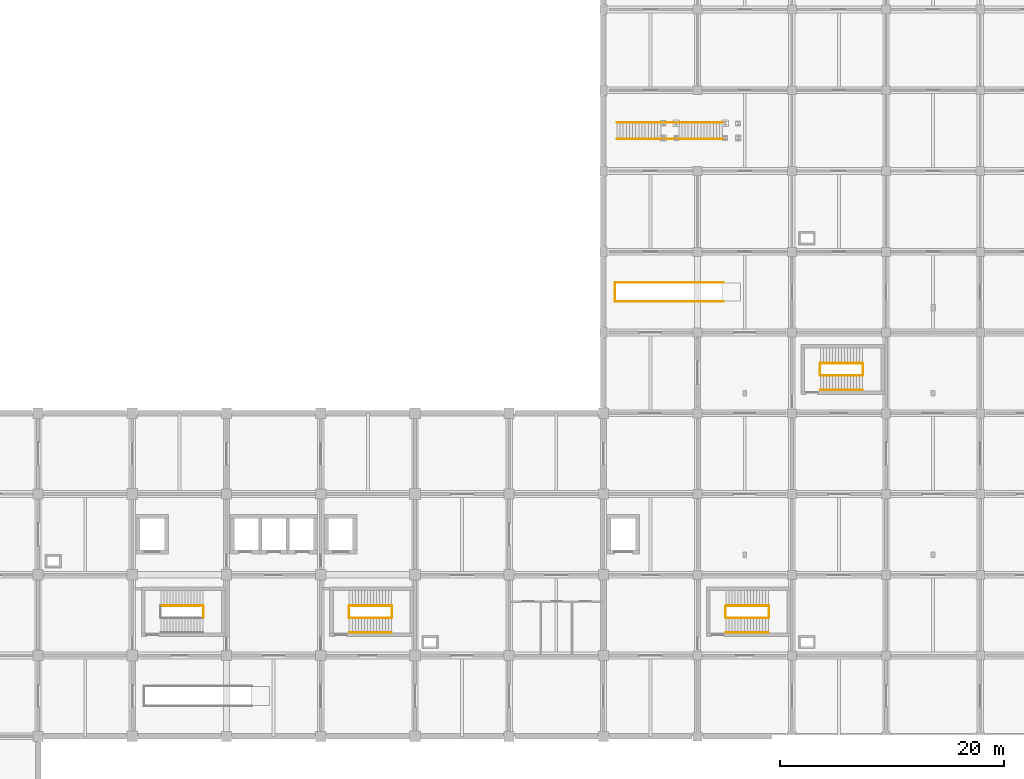
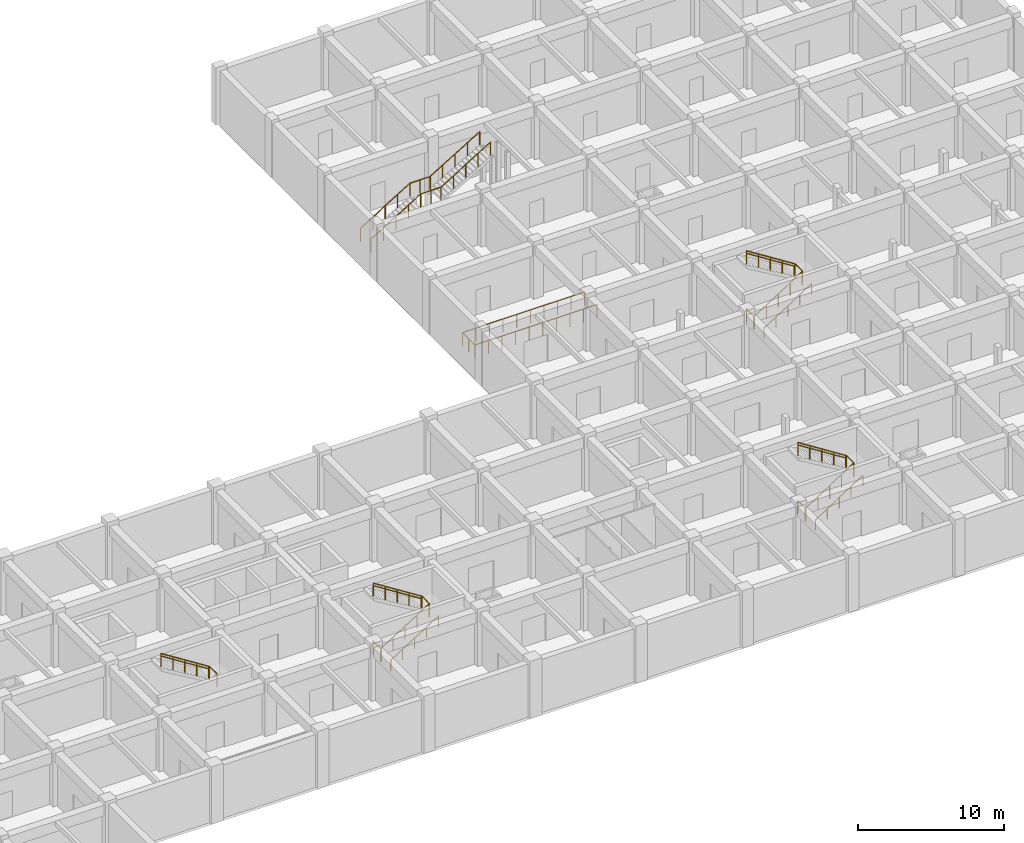
# One storey, part 32 of 32: 30 railings.
"""IFC4 building model written with IfcOpenShell, lengths in metres."""

from ifc_helpers import new_model, si_unit, derived_unit, direction, frame, origin, origin_2d, place, context, subcontext, project, spatial, circle, extrude, material, layer, layer_set, type_object, element, save


model = new_model("IFC4")

# Units and contexts
model_context = context("Model", 3, precision=1e-05, world=origin(), true_north=direction((0.0, 1.0)))
body_context = subcontext(model_context, "Body", "Model", "MODEL_VIEW")
ifc_project = project(units=[si_unit("LENGTHUNIT", "METRE"), si_unit("AREAUNIT", "SQUARE_METRE"), si_unit("VOLUMEUNIT", "CUBIC_METRE"), si_unit("PLANEANGLEUNIT", "RADIAN"), si_unit("MASSUNIT", "GRAM", prefix="KILO"), derived_unit("THERMALTRANSMITTANCEUNIT", [(si_unit("MASSUNIT", "GRAM", prefix="KILO"), 1), (si_unit("TIMEUNIT", "SECOND"), -3), (si_unit("THERMODYNAMICTEMPERATUREUNIT", "KELVIN"), -1)])], contexts=[model_context])

# Site, building, storey
site_placement = place(None, origin())
site = spatial("IfcSite", under=ifc_project, at=site_placement, CompositionType="ELEMENT")
building_placement = place(site_placement, origin())
building = spatial("IfcBuilding", under=site, at=building_placement, Name="Veldstrom Oceanarium and Marine Research Institute", CompositionType="ELEMENT")
storey_placement = place(building_placement, frame((0.0, 0.0, -4.800048828125)))
storey = spatial("IfcBuildingStorey", under=building, at=storey_placement, Name="B01", CompositionType="ELEMENT", Elevation=-4.800048828125)

# Railings
ifc_material_1 = material(Name="Duplex Stainless Steel Balustrade", Category="steel")
ifc_layer_1 = layer(ifc_material_1, 0.06005859375)
ifc_layer_set_1 = layer_set([ifc_layer_1], Name="ARC-RLG-GR1")
railing_type_1 = type_object("IfcRailingType", Name="ARC-RLG-GR1", PredefinedType="GUARDRAIL", material=ifc_layer_set_1)
railing_1_placement = place(storey_placement, frame((81.9599609375, 53.800048828125, 2.400146484375)))
element("IfcRailing", 1, at=railing_1_placement, inside=storey, type_object=railing_type_1, Name="Stair Half-Landing Guardrail ST1-B01", PredefinedType="GUARDRAIL", context=body_context, shape_type="SweptSolid", body=[
    extrude(circle(Radius=0.02392578125, at=origin_2d()), frame((0.0, 0.0, 1.09619140625), z_axis=(0.0, 1.0, 0.0), x_axis=(-1.0, 0.0, 0.0)), (0.0, 0.0, 1.0), 1.0),
    extrude(circle(Radius=0.02099609375, at=origin_2d()), origin(), (0.0, 0.0, 1.0), 1.072021484375),
    extrude(circle(Radius=0.02099609375, at=origin_2d()), frame((0.0, 1.0, 0.0)), (0.0, 0.0, 1.0), 1.072021484375),
])
railing_2_placement = place(storey_placement, frame((81.919921875, 54.840087890625, 2.400146484375)))
element("IfcRailing", 2, at=railing_2_placement, inside=storey, type_object=railing_type_1, Name="Stair Flight Guardrail ST1-B01-2", PredefinedType="GUARDRAIL", context=body_context, shape_type="SweptSolid", body=[
    extrude(circle(Radius=0.02392578125, at=origin_2d()), frame((0.0, 0.0, 1.09619140625), z_axis=(-0.844224564207, 0.0, 0.535989631606), x_axis=(0.0, -1.0, 0.0)), (0.0, 0.0, 1.0), 4.4775390625),
    extrude(circle(Radius=0.02099609375, at=origin_2d()), origin(), (0.0, 0.0, 1.0), 1.072021484375),
    extrude(circle(Radius=0.02099609375, at=origin_2d()), frame((-0.945068359375, 0.0, 0.60009765625)), (0.0, 0.0, 1.0), 1.072021484375),
    extrude(circle(Radius=0.02099609375, at=origin_2d()), frame((-1.89013671875, 0.0, 1.199951171875)), (0.0, 0.0, 1.0), 1.072021484375),
    extrude(circle(Radius=0.02099609375, at=origin_2d()), frame((-2.8349609375, 0.0, 1.7998046875)), (0.0, 0.0, 1.0), 1.072021484375),
    extrude(circle(Radius=0.02099609375, at=origin_2d()), frame((-3.780029296875, 0.0, 2.39990234375)), (0.0, 0.0, 1.0), 1.072021484375),
])
railing_3_placement = place(storey_placement, frame((94.89990234375, 53.800048828125, 0.0)))
element("IfcRailing", 3, at=railing_3_placement, inside=storey, type_object=railing_type_1, Name="Stair Well Landing Guard ST2 B01", PredefinedType="GUARDRAIL", context=body_context, shape_type="SweptSolid", body=[
    extrude(circle(Radius=0.02392578125, at=origin_2d()), frame((0.0, 0.0, 1.09619140625), z_axis=(0.0, 1.0, 0.0), x_axis=(-1.0, 0.0, 0.0)), (0.0, 0.0, 1.0), 1.0),
    extrude(circle(Radius=0.02099609375, at=origin_2d()), origin(), (0.0, 0.0, 1.0), 1.072021484375),
    extrude(circle(Radius=0.02099609375, at=origin_2d()), frame((0.0, 1.0, 0.0)), (0.0, 0.0, 1.0), 1.072021484375),
])
railing_4_placement = place(storey_placement, frame((94.93994140625, 53.760009765625, 0.0)))
element("IfcRailing", 4, at=railing_4_placement, inside=storey, type_object=railing_type_1, Name="Stair Flight Guardrail ST2-B01-1", PredefinedType="GUARDRAIL", context=body_context, shape_type="SweptSolid", body=[
    extrude(circle(Radius=0.02392578125, at=origin_2d()), frame((0.0, 0.0, 1.09619140625), z_axis=(0.844199891302, 0.0, 0.536028491338), x_axis=(0.0, 1.0, 0.0)), (0.0, 0.0, 1.0), 4.4775390625),
    extrude(circle(Radius=0.02099609375, at=origin_2d()), origin(), (0.0, 0.0, 1.0), 1.072021484375),
    extrude(circle(Radius=0.02099609375, at=origin_2d()), frame((0.945068359375, 0.0, 0.60009765625)), (0.0, 0.0, 1.0), 1.072021484375),
    extrude(circle(Radius=0.02099609375, at=origin_2d()), frame((1.89013671875, 0.0, 1.2001953125)), (0.0, 0.0, 1.0), 1.072021484375),
    extrude(circle(Radius=0.02099609375, at=origin_2d()), frame((2.8349609375, 0.0, 1.800048828125)), (0.0, 0.0, 1.0), 1.072021484375),
    extrude(circle(Radius=0.02099609375, at=origin_2d()), frame((3.780029296875, 0.0, 2.400146484375)), (0.0, 0.0, 1.0), 1.072021484375),
])
railing_5_placement = place(storey_placement, frame((98.760009765625, 53.800048828125, 2.400146484375)))
element("IfcRailing", 5, at=railing_5_placement, inside=storey, type_object=railing_type_1, Name="Stair Half-Landing Guardrail ST2-B01", PredefinedType="GUARDRAIL", context=body_context, shape_type="SweptSolid", body=[
    extrude(circle(Radius=0.02392578125, at=origin_2d()), frame((0.0, 0.0, 1.09619140625), z_axis=(0.0, 1.0, 0.0), x_axis=(-1.0, 0.0, 0.0)), (0.0, 0.0, 1.0), 1.0),
    extrude(circle(Radius=0.02099609375, at=origin_2d()), origin(), (0.0, 0.0, 1.0), 1.072021484375),
    extrude(circle(Radius=0.02099609375, at=origin_2d()), frame((0.0, 1.0, 0.0)), (0.0, 0.0, 1.0), 1.072021484375),
])
railing_6_placement = place(storey_placement, frame((98.719970703125, 54.840087890625, 2.400146484375)))
element("IfcRailing", 6, at=railing_6_placement, inside=storey, type_object=railing_type_1, Name="Stair Flight Guardrail ST2-B01-2", PredefinedType="GUARDRAIL", context=body_context, shape_type="SweptSolid", body=[
    extrude(circle(Radius=0.02392578125, at=origin_2d()), frame((0.0, 0.0, 1.09619140625), z_axis=(-0.844224564207, 0.0, 0.535989631606), x_axis=(0.0, -1.0, 0.0)), (0.0, 0.0, 1.0), 4.4775390625),
    extrude(circle(Radius=0.02099609375, at=origin_2d()), origin(), (0.0, 0.0, 1.0), 1.072021484375),
    extrude(circle(Radius=0.02099609375, at=origin_2d()), frame((-0.945068359375, 0.0, 0.60009765625)), (0.0, 0.0, 1.0), 1.072021484375),
    extrude(circle(Radius=0.02099609375, at=origin_2d()), frame((-1.89013671875, 0.0, 1.199951171875)), (0.0, 0.0, 1.0), 1.072021484375),
    extrude(circle(Radius=0.02099609375, at=origin_2d()), frame((-2.8349609375, 0.0, 1.7998046875)), (0.0, 0.0, 1.0), 1.072021484375),
    extrude(circle(Radius=0.02099609375, at=origin_2d()), frame((-3.780029296875, 0.0, 2.39990234375)), (0.0, 0.0, 1.0), 1.072021484375),
])
railing_7_placement = place(storey_placement, frame((128.5, 53.800048828125, 0.0)))
element("IfcRailing", 7, at=railing_7_placement, inside=storey, type_object=railing_type_1, Name="Stair Well Landing Guard ST4 B01", PredefinedType="GUARDRAIL", context=body_context, shape_type="SweptSolid", body=[
    extrude(circle(Radius=0.02392578125, at=origin_2d()), frame((0.0, 0.0, 1.09619140625), z_axis=(0.0, 1.0, 0.0), x_axis=(-1.0, 0.0, 0.0)), (0.0, 0.0, 1.0), 1.0),
    extrude(circle(Radius=0.02099609375, at=origin_2d()), origin(), (0.0, 0.0, 1.0), 1.072021484375),
    extrude(circle(Radius=0.02099609375, at=origin_2d()), frame((0.0, 1.0, 0.0)), (0.0, 0.0, 1.0), 1.072021484375),
])
railing_8_placement = place(storey_placement, frame((128.5400390625, 53.760009765625, 0.0)))
element("IfcRailing", 8, at=railing_8_placement, inside=storey, type_object=railing_type_1, Name="Stair Flight Guardrail ST4-B01-1", PredefinedType="GUARDRAIL", context=body_context, shape_type="SweptSolid", body=[
    extrude(circle(Radius=0.02392578125, at=origin_2d()), frame((0.0, 0.0, 1.09619140625), z_axis=(0.844199891302, 0.0, 0.536028491338), x_axis=(0.0, 1.0, 0.0)), (0.0, 0.0, 1.0), 4.4775390625),
    extrude(circle(Radius=0.02099609375, at=origin_2d()), origin(), (0.0, 0.0, 1.0), 1.072021484375),
    extrude(circle(Radius=0.02099609375, at=origin_2d()), frame((0.945068359375, 0.0, 0.60009765625)), (0.0, 0.0, 1.0), 1.072021484375),
    extrude(circle(Radius=0.02099609375, at=origin_2d()), frame((1.89013671875, 0.0, 1.2001953125)), (0.0, 0.0, 1.0), 1.072021484375),
    extrude(circle(Radius=0.02099609375, at=origin_2d()), frame((2.8349609375, 0.0, 1.800048828125)), (0.0, 0.0, 1.0), 1.072021484375),
    extrude(circle(Radius=0.02099609375, at=origin_2d()), frame((3.780029296875, 0.0, 2.400146484375)), (0.0, 0.0, 1.0), 1.072021484375),
])
railing_9_placement = place(storey_placement, frame((132.360107421875, 53.800048828125, 2.400146484375)))
element("IfcRailing", 9, at=railing_9_placement, inside=storey, type_object=railing_type_1, Name="Stair Half-Landing Guardrail ST4-B01", PredefinedType="GUARDRAIL", context=body_context, shape_type="SweptSolid", body=[
    extrude(circle(Radius=0.02392578125, at=origin_2d()), frame((0.0, 0.0, 1.09619140625), z_axis=(0.0, 1.0, 0.0), x_axis=(-1.0, 0.0, 0.0)), (0.0, 0.0, 1.0), 1.0),
    extrude(circle(Radius=0.02099609375, at=origin_2d()), origin(), (0.0, 0.0, 1.0), 1.072021484375),
    extrude(circle(Radius=0.02099609375, at=origin_2d()), frame((0.0, 1.0, 0.0)), (0.0, 0.0, 1.0), 1.072021484375),
])
railing_10_placement = place(storey_placement, frame((132.320068359375, 54.840087890625, 2.400146484375)))
element("IfcRailing", 10, at=railing_10_placement, inside=storey, type_object=railing_type_1, Name="Stair Flight Guardrail ST4-B01-2", PredefinedType="GUARDRAIL", context=body_context, shape_type="SweptSolid", body=[
    extrude(circle(Radius=0.02392578125, at=origin_2d()), frame((0.0, 0.0, 1.09619140625), z_axis=(-0.844224564207, 0.0, 0.535989631606), x_axis=(0.0, -1.0, 0.0)), (0.0, 0.0, 1.0), 4.4775390625),
    extrude(circle(Radius=0.02099609375, at=origin_2d()), origin(), (0.0, 0.0, 1.0), 1.072021484375),
    extrude(circle(Radius=0.02099609375, at=origin_2d()), frame((-0.945068359375, 0.0, 0.60009765625)), (0.0, 0.0, 1.0), 1.072021484375),
    extrude(circle(Radius=0.02099609375, at=origin_2d()), frame((-1.89013671875, 0.0, 1.199951171875)), (0.0, 0.0, 1.0), 1.072021484375),
    extrude(circle(Radius=0.02099609375, at=origin_2d()), frame((-2.8349609375, 0.0, 1.7998046875)), (0.0, 0.0, 1.0), 1.072021484375),
    extrude(circle(Radius=0.02099609375, at=origin_2d()), frame((-3.780029296875, 0.0, 2.39990234375)), (0.0, 0.0, 1.0), 1.072021484375),
])
railing_11_placement = place(storey_placement, frame((136.89990234375, 75.39990234375, 0.0)))
element("IfcRailing", 11, at=railing_11_placement, inside=storey, type_object=railing_type_1, Name="Stair Well Landing Guard ST7 B01", PredefinedType="GUARDRAIL", context=body_context, shape_type="SweptSolid", body=[
    extrude(circle(Radius=0.02392578125, at=origin_2d()), frame((0.0, 0.0, 1.09619140625), z_axis=(0.0, 1.0, 0.0), x_axis=(-1.0, 0.0, 0.0)), (0.0, 0.0, 1.0), 1.0),
    extrude(circle(Radius=0.02099609375, at=origin_2d()), origin(), (0.0, 0.0, 1.0), 1.072021484375),
    extrude(circle(Radius=0.02099609375, at=origin_2d()), frame((0.0, 1.0, 0.0)), (0.0, 0.0, 1.0), 1.072021484375),
])
railing_12_placement = place(storey_placement, frame((136.93994140625, 75.360107421875, 0.0)))
element("IfcRailing", 12, at=railing_12_placement, inside=storey, type_object=railing_type_1, Name="Stair Flight Guardrail ST7-B01-1", PredefinedType="GUARDRAIL", context=body_context, shape_type="SweptSolid", body=[
    extrude(circle(Radius=0.02392578125, at=origin_2d()), frame((0.0, 0.0, 1.09619140625), z_axis=(0.844199891302, 0.0, 0.536028491338), x_axis=(0.0, 1.0, 0.0)), (0.0, 0.0, 1.0), 4.4775390625),
    extrude(circle(Radius=0.02099609375, at=origin_2d()), origin(), (0.0, 0.0, 1.0), 1.072021484375),
    extrude(circle(Radius=0.02099609375, at=origin_2d()), frame((0.945068359375, 0.0, 0.60009765625)), (0.0, 0.0, 1.0), 1.072021484375),
    extrude(circle(Radius=0.02099609375, at=origin_2d()), frame((1.89013671875, 0.0, 1.2001953125)), (0.0, 0.0, 1.0), 1.072021484375),
    extrude(circle(Radius=0.02099609375, at=origin_2d()), frame((2.8349609375, 0.0, 1.800048828125)), (0.0, 0.0, 1.0), 1.072021484375),
    extrude(circle(Radius=0.02099609375, at=origin_2d()), frame((3.780029296875, 0.0, 2.400146484375)), (0.0, 0.0, 1.0), 1.072021484375),
])
railing_13_placement = place(storey_placement, frame((140.760009765625, 75.39990234375, 2.400146484375)))
element("IfcRailing", 13, at=railing_13_placement, inside=storey, type_object=railing_type_1, Name="Stair Half-Landing Guardrail ST7-B01", PredefinedType="GUARDRAIL", context=body_context, shape_type="SweptSolid", body=[
    extrude(circle(Radius=0.02392578125, at=origin_2d()), frame((0.0, 0.0, 1.09619140625), z_axis=(0.0, 1.0, 0.0), x_axis=(-1.0, 0.0, 0.0)), (0.0, 0.0, 1.0), 1.0),
    extrude(circle(Radius=0.02099609375, at=origin_2d()), origin(), (0.0, 0.0, 1.0), 1.072021484375),
    extrude(circle(Radius=0.02099609375, at=origin_2d()), frame((0.0, 1.0, 0.0)), (0.0, 0.0, 1.0), 1.072021484375),
])
railing_14_placement = place(storey_placement, frame((140.719970703125, 76.43994140625, 2.400146484375)))
element("IfcRailing", 14, at=railing_14_placement, inside=storey, type_object=railing_type_1, Name="Stair Flight Guardrail ST7-B01-2", PredefinedType="GUARDRAIL", context=body_context, shape_type="SweptSolid", body=[
    extrude(circle(Radius=0.02392578125, at=origin_2d()), frame((0.0, 0.0, 1.09619140625), z_axis=(-0.844224564207, 0.0, 0.535989631606), x_axis=(0.0, -1.0, 0.0)), (0.0, 0.0, 1.0), 4.4775390625),
    extrude(circle(Radius=0.02099609375, at=origin_2d()), origin(), (0.0, 0.0, 1.0), 1.072021484375),
    extrude(circle(Radius=0.02099609375, at=origin_2d()), frame((-0.945068359375, 0.0, 0.60009765625)), (0.0, 0.0, 1.0), 1.072021484375),
    extrude(circle(Radius=0.02099609375, at=origin_2d()), frame((-1.89013671875, 0.0, 1.199951171875)), (0.0, 0.0, 1.0), 1.072021484375),
    extrude(circle(Radius=0.02099609375, at=origin_2d()), frame((-2.8349609375, 0.0, 1.7998046875)), (0.0, 0.0, 1.0), 1.072021484375),
    extrude(circle(Radius=0.02099609375, at=origin_2d()), frame((-3.780029296875, 0.0, 2.39990234375)), (0.0, 0.0, 1.0), 1.072021484375),
])
railing_15_placement = place(storey_placement, frame((118.6298828125, 81.945068359375, 0.0)))
element("IfcRailing", 15, at=railing_15_placement, inside=storey, type_object=railing_type_1, Name="Gallery Stair Well Guardrail ST5-03-W", PredefinedType="GUARDRAIL", context=body_context, shape_type="SweptSolid", body=[
    extrude(circle(Radius=0.02392578125, at=origin_2d()), frame((0.0, 0.0, 1.09619140625), z_axis=(0.0, 1.0, 0.0), x_axis=(-1.0, 0.0, 0.0)), (0.0, 0.0, 1.0), 1.7099609375),
    extrude(circle(Radius=0.02099609375, at=origin_2d()), origin(), (0.0, 0.0, 1.0), 1.072021484375),
    extrude(circle(Radius=0.02099609375, at=origin_2d()), frame((0.0, 0.85498046875, 0.0)), (0.0, 0.0, 1.0), 1.072021484375),
    extrude(circle(Radius=0.02099609375, at=origin_2d()), frame((0.0, 1.7099609375, 0.0)), (0.0, 0.0, 1.0), 1.072021484375),
])
for number, where, name in (
    (16, (118.6298828125, 81.945068359375, 0.0), "Gallery Stair Well Guardrail ST5-03-S"),
    (17, (118.6298828125, 83.655029296875, 0.0), "Gallery Stair Well Guardrail ST5-03-N"),
):
    element("IfcRailing", number, at=place(storey_placement, frame(where)), inside=storey, type_object=railing_type_1, Name=name, PredefinedType="GUARDRAIL", context=body_context, shape_type="SweptSolid", body=[
        extrude(circle(Radius=0.02392578125, at=origin_2d()), frame((0.0, 0.0, 1.09619140625), z_axis=(1.0, 0.0, 0.0), x_axis=(0.0, 1.0, 0.0)), (0.0, 0.0, 1.0), 9.66015625),
        extrude(circle(Radius=0.02099609375, at=origin_2d()), origin(), (0.0, 0.0, 1.0), 1.072021484375),
        extrude(circle(Radius=0.02099609375, at=origin_2d()), frame((1.0732421875, 0.0, 0.0)), (0.0, 0.0, 1.0), 1.072021484375),
        extrude(circle(Radius=0.02099609375, at=origin_2d()), frame((2.146728515625, 0.0, 0.0)), (0.0, 0.0, 1.0), 1.072021484375),
        extrude(circle(Radius=0.02099609375, at=origin_2d()), frame((3.219970703125, 0.0, 0.0)), (0.0, 0.0, 1.0), 1.072021484375),
        extrude(circle(Radius=0.02099609375, at=origin_2d()), frame((4.29345703125, 0.0, 0.0)), (0.0, 0.0, 1.0), 1.072021484375),
        extrude(circle(Radius=0.02099609375, at=origin_2d()), frame((5.36669921875, 0.0, 0.0)), (0.0, 0.0, 1.0), 1.072021484375),
        extrude(circle(Radius=0.02099609375, at=origin_2d()), frame((6.440185546875, 0.0, 0.0)), (0.0, 0.0, 1.0), 1.072021484375),
        extrude(circle(Radius=0.02099609375, at=origin_2d()), frame((7.513427734375, 0.0, 0.0)), (0.0, 0.0, 1.0), 1.072021484375),
        extrude(circle(Radius=0.02099609375, at=origin_2d()), frame((8.5869140625, 0.0, 0.0)), (0.0, 0.0, 1.0), 1.072021484375),
        extrude(circle(Radius=0.02099609375, at=origin_2d()), frame((9.66015625, 0.0, 0.0)), (0.0, 0.0, 1.0), 1.072021484375),
    ])
railing_16_placement = place(storey_placement, frame((118.800048828125, 96.465087890625, 0.0)))
element("IfcRailing", 18, at=railing_16_placement, inside=storey, type_object=railing_type_1, Name="Gallery Stair Flight Guard ST5-06-1S", PredefinedType="GUARDRAIL", context=body_context, shape_type="SweptSolid", body=[
    extrude(circle(Radius=0.02392578125, at=origin_2d()), frame((0.0, 0.0, 1.09619140625), z_axis=(0.852832477147, 0.0, 0.522184609045), x_axis=(0.0, 1.0, 0.0)), (0.0, 0.0, 1.0), 4.596435546875),
    extrude(circle(Radius=0.02099609375, at=origin_2d()), origin(), (0.0, 0.0, 1.0), 1.072021484375),
    extrude(circle(Radius=0.02099609375, at=origin_2d()), frame((0.97998046875, 0.0, 0.60009765625)), (0.0, 0.0, 1.0), 1.072021484375),
    extrude(circle(Radius=0.02099609375, at=origin_2d()), frame((1.9599609375, 0.0, 1.2001953125)), (0.0, 0.0, 1.0), 1.072021484375),
    extrude(circle(Radius=0.02099609375, at=origin_2d()), frame((2.93994140625, 0.0, 1.800048828125)), (0.0, 0.0, 1.0), 1.072021484375),
    extrude(circle(Radius=0.02099609375, at=origin_2d()), frame((3.919921875, 0.0, 2.400146484375)), (0.0, 0.0, 1.0), 1.072021484375),
])
railing_17_placement = place(storey_placement, frame((122.719970703125, 96.465087890625, 2.400146484375)))
element("IfcRailing", 19, at=railing_17_placement, inside=storey, type_object=railing_type_1, Name="Gallery Stair Landing Guard ST5-06-MS", PredefinedType="GUARDRAIL", context=body_context, shape_type="SweptSolid", body=[
    extrude(circle(Radius=0.02392578125, at=origin_2d()), frame((0.0, 0.0, 1.09619140625), z_axis=(1.0, 0.0, 0.0), x_axis=(0.0, 1.0, 0.0)), (0.0, 0.0, 1.0), 1.60009765625),
    extrude(circle(Radius=0.02099609375, at=origin_2d()), origin(), (0.0, 0.0, 1.0), 1.072021484375),
    extrude(circle(Radius=0.02099609375, at=origin_2d()), frame((0.800048828125, 0.0, 0.0)), (0.0, 0.0, 1.0), 1.072021484375),
    extrude(circle(Radius=0.02099609375, at=origin_2d()), frame((1.60009765625, 0.0, 0.0)), (0.0, 0.0, 1.0), 1.072021484375),
])
railing_18_placement = place(storey_placement, frame((124.320068359375, 96.465087890625, 2.400146484375)))
element("IfcRailing", 20, at=railing_18_placement, inside=storey, type_object=railing_type_1, Name="Gallery Stair Flight Guard ST5-06-2S", PredefinedType="GUARDRAIL", context=body_context, shape_type="SweptSolid", body=[
    extrude(circle(Radius=0.02392578125, at=origin_2d()), frame((0.0, 0.0, 1.09619140625), z_axis=(0.852856131449, 0.0, 0.522145974847), x_axis=(0.0, 1.0, 0.0)), (0.0, 0.0, 1.0), 4.59619140625),
    extrude(circle(Radius=0.02099609375, at=origin_2d()), origin(), (0.0, 0.0, 1.0), 1.072021484375),
    extrude(circle(Radius=0.02099609375, at=origin_2d()), frame((0.97998046875, 0.0, 0.60009765625)), (0.0, 0.0, 1.0), 1.072021484375),
    extrude(circle(Radius=0.02099609375, at=origin_2d()), frame((1.9599609375, 0.0, 1.199951171875)), (0.0, 0.0, 1.0), 1.072021484375),
    extrude(circle(Radius=0.02099609375, at=origin_2d()), frame((2.93994140625, 0.0, 1.7998046875)), (0.0, 0.0, 1.0), 1.072021484375),
    extrude(circle(Radius=0.02099609375, at=origin_2d()), frame((3.919921875, 0.0, 2.39990234375)), (0.0, 0.0, 1.0), 1.072021484375),
])
railing_19_placement = place(storey_placement, frame((118.800048828125, 97.93505859375, 0.0)))
element("IfcRailing", 21, at=railing_19_placement, inside=storey, type_object=railing_type_1, Name="Gallery Stair Flight Guard ST5-06-1N", PredefinedType="GUARDRAIL", context=body_context, shape_type="SweptSolid", body=[
    extrude(circle(Radius=0.02392578125, at=origin_2d()), frame((0.0, 0.0, 1.09619140625), z_axis=(0.852832477147, 0.0, 0.522184609045), x_axis=(0.0, 1.0, 0.0)), (0.0, 0.0, 1.0), 4.596435546875),
    extrude(circle(Radius=0.02099609375, at=origin_2d()), origin(), (0.0, 0.0, 1.0), 1.072021484375),
    extrude(circle(Radius=0.02099609375, at=origin_2d()), frame((0.97998046875, 0.0, 0.60009765625)), (0.0, 0.0, 1.0), 1.072021484375),
    extrude(circle(Radius=0.02099609375, at=origin_2d()), frame((1.9599609375, 0.0, 1.2001953125)), (0.0, 0.0, 1.0), 1.072021484375),
    extrude(circle(Radius=0.02099609375, at=origin_2d()), frame((2.93994140625, 0.0, 1.800048828125)), (0.0, 0.0, 1.0), 1.072021484375),
    extrude(circle(Radius=0.02099609375, at=origin_2d()), frame((3.919921875, 0.0, 2.400146484375)), (0.0, 0.0, 1.0), 1.072021484375),
])
railing_20_placement = place(storey_placement, frame((122.719970703125, 97.93505859375, 2.400146484375)))
element("IfcRailing", 22, at=railing_20_placement, inside=storey, type_object=railing_type_1, Name="Gallery Stair Landing Guard ST5-06-MN", PredefinedType="GUARDRAIL", context=body_context, shape_type="SweptSolid", body=[
    extrude(circle(Radius=0.02392578125, at=origin_2d()), frame((0.0, 0.0, 1.09619140625), z_axis=(1.0, 0.0, 0.0), x_axis=(0.0, 1.0, 0.0)), (0.0, 0.0, 1.0), 1.60009765625),
    extrude(circle(Radius=0.02099609375, at=origin_2d()), origin(), (0.0, 0.0, 1.0), 1.072021484375),
    extrude(circle(Radius=0.02099609375, at=origin_2d()), frame((0.800048828125, 0.0, 0.0)), (0.0, 0.0, 1.0), 1.072021484375),
    extrude(circle(Radius=0.02099609375, at=origin_2d()), frame((1.60009765625, 0.0, 0.0)), (0.0, 0.0, 1.0), 1.072021484375),
])
railing_21_placement = place(storey_placement, frame((124.320068359375, 97.93505859375, 2.400146484375)))
element("IfcRailing", 23, at=railing_21_placement, inside=storey, type_object=railing_type_1, Name="Gallery Stair Flight Guard ST5-06-2N", PredefinedType="GUARDRAIL", context=body_context, shape_type="SweptSolid", body=[
    extrude(circle(Radius=0.02392578125, at=origin_2d()), frame((0.0, 0.0, 1.09619140625), z_axis=(0.852856131449, 0.0, 0.522145974847), x_axis=(0.0, 1.0, 0.0)), (0.0, 0.0, 1.0), 4.59619140625),
    extrude(circle(Radius=0.02099609375, at=origin_2d()), origin(), (0.0, 0.0, 1.0), 1.072021484375),
    extrude(circle(Radius=0.02099609375, at=origin_2d()), frame((0.97998046875, 0.0, 0.60009765625)), (0.0, 0.0, 1.0), 1.072021484375),
    extrude(circle(Radius=0.02099609375, at=origin_2d()), frame((1.9599609375, 0.0, 1.199951171875)), (0.0, 0.0, 1.0), 1.072021484375),
    extrude(circle(Radius=0.02099609375, at=origin_2d()), frame((2.93994140625, 0.0, 1.7998046875)), (0.0, 0.0, 1.0), 1.072021484375),
    extrude(circle(Radius=0.02099609375, at=origin_2d()), frame((3.919921875, 0.0, 2.39990234375)), (0.0, 0.0, 1.0), 1.072021484375),
])
ifc_material_2 = material(Name="Brushed Stainless Steel Handrail", Category="steel")
ifc_layer_2 = layer(ifc_material_2, 0.050048828125)
ifc_layer_set_2 = layer_set([ifc_layer_2], Name="ARC-RLG-HR1")
railing_type_2 = type_object("IfcRailingType", Name="ARC-RLG-HR1", PredefinedType="HANDRAIL", material=ifc_layer_set_2)
railing_22_placement = place(storey_placement, frame((81.919921875, 54.860107421875, 2.400146484375)))
element("IfcRailing", 24, at=railing_22_placement, inside=storey, type_object=railing_type_2, Name="Stair Wall Handrail ST1-B01-2", PredefinedType="HANDRAIL", context=body_context, shape_type="SweptSolid", body=[
    extrude(circle(Radius=0.02392578125, at=origin_2d()), frame((0.0, 0.0, 0.8759765625), z_axis=(-0.844224564207, 0.0, 0.535989631606), x_axis=(0.0, -1.0, 0.0)), (0.0, 0.0, 1.0), 4.4775390625),
    extrude(circle(Radius=0.02099609375, at=origin_2d()), origin(), (0.0, 0.0, 1.0), 0.851806640625),
    extrude(circle(Radius=0.02099609375, at=origin_2d()), frame((-0.945068359375, 0.0, 0.60009765625)), (0.0, 0.0, 1.0), 0.851806640625),
    extrude(circle(Radius=0.02099609375, at=origin_2d()), frame((-1.89013671875, 0.0, 1.199951171875)), (0.0, 0.0, 1.0), 0.851806640625),
    extrude(circle(Radius=0.02099609375, at=origin_2d()), frame((-2.8349609375, 0.0, 1.7998046875)), (0.0, 0.0, 1.0), 0.851806640625),
    extrude(circle(Radius=0.02099609375, at=origin_2d()), frame((-3.780029296875, 0.0, 2.39990234375)), (0.0, 0.0, 1.0), 0.851806640625),
])
railing_23_placement = place(storey_placement, frame((94.93994140625, 52.4599609375, 0.0)))
element("IfcRailing", 25, at=railing_23_placement, inside=storey, type_object=railing_type_2, Name="Stair Wall Handrail ST2-B01-1", PredefinedType="HANDRAIL", context=body_context, shape_type="SweptSolid", body=[
    extrude(circle(Radius=0.02392578125, at=origin_2d()), frame((0.0, 0.0, 0.8759765625), z_axis=(0.844199891302, 0.0, 0.536028491338), x_axis=(0.0, 1.0, 0.0)), (0.0, 0.0, 1.0), 4.4775390625),
    extrude(circle(Radius=0.02099609375, at=origin_2d()), origin(), (0.0, 0.0, 1.0), 0.851806640625),
    extrude(circle(Radius=0.02099609375, at=origin_2d()), frame((0.945068359375, 0.0, 0.60009765625)), (0.0, 0.0, 1.0), 0.851806640625),
    extrude(circle(Radius=0.02099609375, at=origin_2d()), frame((1.89013671875, 0.0, 1.2001953125)), (0.0, 0.0, 1.0), 0.851806640625),
    extrude(circle(Radius=0.02099609375, at=origin_2d()), frame((2.8349609375, 0.0, 1.800048828125)), (0.0, 0.0, 1.0), 0.851806640625),
    extrude(circle(Radius=0.02099609375, at=origin_2d()), frame((3.780029296875, 0.0, 2.400146484375)), (0.0, 0.0, 1.0), 0.851806640625),
])
railing_24_placement = place(storey_placement, frame((98.719970703125, 54.860107421875, 2.400146484375)))
element("IfcRailing", 26, at=railing_24_placement, inside=storey, type_object=railing_type_2, Name="Stair Wall Handrail ST2-B01-2", PredefinedType="HANDRAIL", context=body_context, shape_type="SweptSolid", body=[
    extrude(circle(Radius=0.02392578125, at=origin_2d()), frame((0.0, 0.0, 0.8759765625), z_axis=(-0.844224564207, 0.0, 0.535989631606), x_axis=(0.0, -1.0, 0.0)), (0.0, 0.0, 1.0), 4.4775390625),
    extrude(circle(Radius=0.02099609375, at=origin_2d()), origin(), (0.0, 0.0, 1.0), 0.851806640625),
    extrude(circle(Radius=0.02099609375, at=origin_2d()), frame((-0.945068359375, 0.0, 0.60009765625)), (0.0, 0.0, 1.0), 0.851806640625),
    extrude(circle(Radius=0.02099609375, at=origin_2d()), frame((-1.89013671875, 0.0, 1.199951171875)), (0.0, 0.0, 1.0), 0.851806640625),
    extrude(circle(Radius=0.02099609375, at=origin_2d()), frame((-2.8349609375, 0.0, 1.7998046875)), (0.0, 0.0, 1.0), 0.851806640625),
    extrude(circle(Radius=0.02099609375, at=origin_2d()), frame((-3.780029296875, 0.0, 2.39990234375)), (0.0, 0.0, 1.0), 0.851806640625),
])
railing_25_placement = place(storey_placement, frame((128.5400390625, 52.4599609375, 0.0)))
element("IfcRailing", 27, at=railing_25_placement, inside=storey, type_object=railing_type_2, Name="Stair Wall Handrail ST4-B01-1", PredefinedType="HANDRAIL", context=body_context, shape_type="SweptSolid", body=[
    extrude(circle(Radius=0.02392578125, at=origin_2d()), frame((0.0, 0.0, 0.8759765625), z_axis=(0.844199891302, 0.0, 0.536028491338), x_axis=(0.0, 1.0, 0.0)), (0.0, 0.0, 1.0), 4.4775390625),
    extrude(circle(Radius=0.02099609375, at=origin_2d()), origin(), (0.0, 0.0, 1.0), 0.851806640625),
    extrude(circle(Radius=0.02099609375, at=origin_2d()), frame((0.945068359375, 0.0, 0.60009765625)), (0.0, 0.0, 1.0), 0.851806640625),
    extrude(circle(Radius=0.02099609375, at=origin_2d()), frame((1.89013671875, 0.0, 1.2001953125)), (0.0, 0.0, 1.0), 0.851806640625),
    extrude(circle(Radius=0.02099609375, at=origin_2d()), frame((2.8349609375, 0.0, 1.800048828125)), (0.0, 0.0, 1.0), 0.851806640625),
    extrude(circle(Radius=0.02099609375, at=origin_2d()), frame((3.780029296875, 0.0, 2.400146484375)), (0.0, 0.0, 1.0), 0.851806640625),
])
railing_26_placement = place(storey_placement, frame((132.320068359375, 54.860107421875, 2.400146484375)))
element("IfcRailing", 28, at=railing_26_placement, inside=storey, type_object=railing_type_2, Name="Stair Wall Handrail ST4-B01-2", PredefinedType="HANDRAIL", context=body_context, shape_type="SweptSolid", body=[
    extrude(circle(Radius=0.02392578125, at=origin_2d()), frame((0.0, 0.0, 0.8759765625), z_axis=(-0.844224564207, 0.0, 0.535989631606), x_axis=(0.0, -1.0, 0.0)), (0.0, 0.0, 1.0), 4.4775390625),
    extrude(circle(Radius=0.02099609375, at=origin_2d()), origin(), (0.0, 0.0, 1.0), 0.851806640625),
    extrude(circle(Radius=0.02099609375, at=origin_2d()), frame((-0.945068359375, 0.0, 0.60009765625)), (0.0, 0.0, 1.0), 0.851806640625),
    extrude(circle(Radius=0.02099609375, at=origin_2d()), frame((-1.89013671875, 0.0, 1.199951171875)), (0.0, 0.0, 1.0), 0.851806640625),
    extrude(circle(Radius=0.02099609375, at=origin_2d()), frame((-2.8349609375, 0.0, 1.7998046875)), (0.0, 0.0, 1.0), 0.851806640625),
    extrude(circle(Radius=0.02099609375, at=origin_2d()), frame((-3.780029296875, 0.0, 2.39990234375)), (0.0, 0.0, 1.0), 0.851806640625),
])
railing_27_placement = place(storey_placement, frame((136.93994140625, 74.06005859375, 0.0)))
element("IfcRailing", 29, at=railing_27_placement, inside=storey, type_object=railing_type_2, Name="Stair Wall Handrail ST7-B01-1", PredefinedType="HANDRAIL", context=body_context, shape_type="SweptSolid", body=[
    extrude(circle(Radius=0.02392578125, at=origin_2d()), frame((0.0, 0.0, 0.8759765625), z_axis=(0.844199891302, 0.0, 0.536028491338), x_axis=(0.0, 1.0, 0.0)), (0.0, 0.0, 1.0), 4.4775390625),
    extrude(circle(Radius=0.02099609375, at=origin_2d()), origin(), (0.0, 0.0, 1.0), 0.851806640625),
    extrude(circle(Radius=0.02099609375, at=origin_2d()), frame((0.945068359375, 0.0, 0.60009765625)), (0.0, 0.0, 1.0), 0.851806640625),
    extrude(circle(Radius=0.02099609375, at=origin_2d()), frame((1.89013671875, 0.0, 1.2001953125)), (0.0, 0.0, 1.0), 0.851806640625),
    extrude(circle(Radius=0.02099609375, at=origin_2d()), frame((2.8349609375, 0.0, 1.800048828125)), (0.0, 0.0, 1.0), 0.851806640625),
    extrude(circle(Radius=0.02099609375, at=origin_2d()), frame((3.780029296875, 0.0, 2.400146484375)), (0.0, 0.0, 1.0), 0.851806640625),
])
railing_28_placement = place(storey_placement, frame((140.719970703125, 76.4599609375, 2.400146484375)))
element("IfcRailing", 30, at=railing_28_placement, inside=storey, type_object=railing_type_2, Name="Stair Wall Handrail ST7-B01-2", PredefinedType="HANDRAIL", context=body_context, shape_type="SweptSolid", body=[
    extrude(circle(Radius=0.02392578125, at=origin_2d()), frame((0.0, 0.0, 0.8759765625), z_axis=(-0.844224564207, 0.0, 0.535989631606), x_axis=(0.0, -1.0, 0.0)), (0.0, 0.0, 1.0), 4.4775390625),
    extrude(circle(Radius=0.02099609375, at=origin_2d()), origin(), (0.0, 0.0, 1.0), 0.851806640625),
    extrude(circle(Radius=0.02099609375, at=origin_2d()), frame((-0.945068359375, 0.0, 0.60009765625)), (0.0, 0.0, 1.0), 0.851806640625),
    extrude(circle(Radius=0.02099609375, at=origin_2d()), frame((-1.89013671875, 0.0, 1.199951171875)), (0.0, 0.0, 1.0), 0.851806640625),
    extrude(circle(Radius=0.02099609375, at=origin_2d()), frame((-2.8349609375, 0.0, 1.7998046875)), (0.0, 0.0, 1.0), 0.851806640625),
    extrude(circle(Radius=0.02099609375, at=origin_2d()), frame((-3.780029296875, 0.0, 2.39990234375)), (0.0, 0.0, 1.0), 0.851806640625),
])

save(model, "model.ifc")
